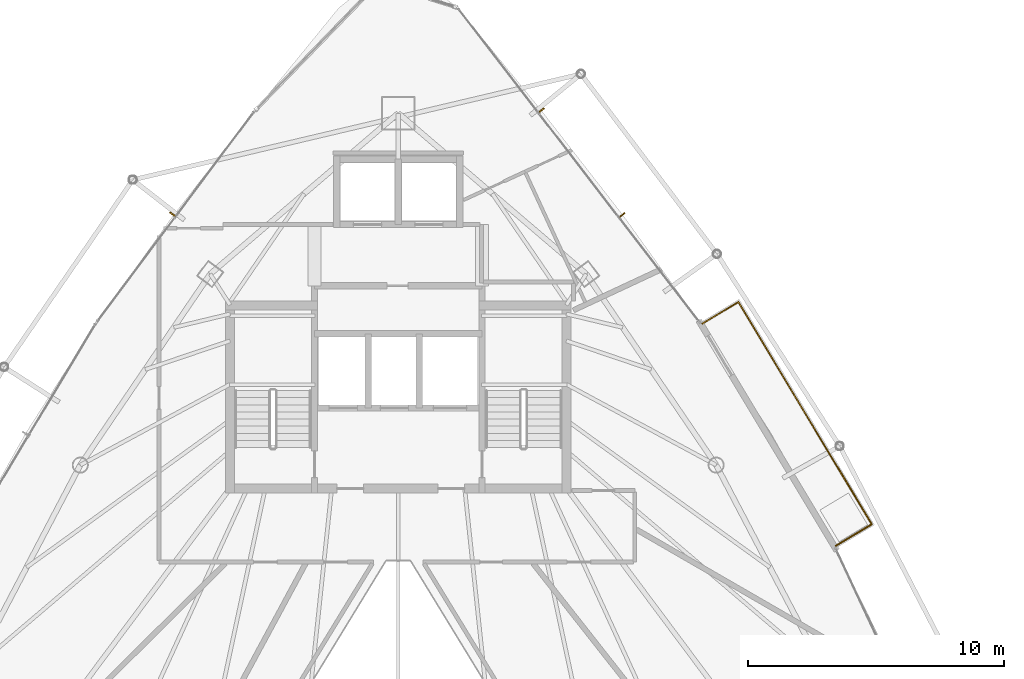
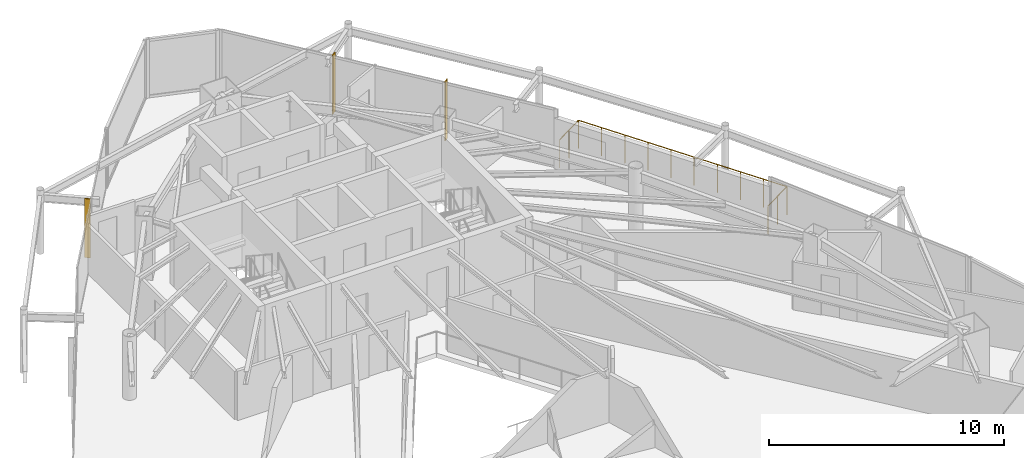
# One storey, part 34 of 34: 3 shading devices, 1 railing.
"""IFC4 building model written with IfcOpenShell, lengths in metres."""

from ifc_helpers import new_model, si_unit, direction, frame, origin, origin_2d, place, context, subcontext, project, spatial, rectangle, circle, extrude, material, layer, layer_set, type_object, element, save


model = new_model("IFC4")

# Units and contexts
model_context = context("Model", 3, precision=1e-05, world=origin(), true_north=direction((0.0, 1.0)))
body_context = subcontext(model_context, "Body", "Model", "MODEL_VIEW")
ifc_project = project(units=[si_unit("LENGTHUNIT", "METRE"), si_unit("AREAUNIT", "SQUARE_METRE"), si_unit("VOLUMEUNIT", "CUBIC_METRE"), si_unit("PLANEANGLEUNIT", "RADIAN"), si_unit("MASSUNIT", "GRAM", prefix="KILO")], contexts=[model_context])

# Site, building, storey
site_placement = place(None, origin())
site = spatial("IfcSite", under=ifc_project, at=site_placement, CompositionType="ELEMENT")
building_placement = place(site_placement, origin())
building = spatial("IfcBuilding", under=site, at=building_placement, Name="Orvanel Arch Residences", CompositionType="ELEMENT")
storey_placement = place(building_placement, frame((0.0, 0.0, 199.699951171875)))
storey = spatial("IfcBuildingStorey", under=building, at=storey_placement, Name="L56", CompositionType="ELEMENT", Elevation=199.699951171875)

# Shading devices
ifc_material = material(Name="Bronze-anodised aluminium AA6063-T6", Category="aluminium")
ifc_layer = layer(ifc_material, 0.050048828125)
ifc_layer_set = layer_set([ifc_layer], Name="Bronze-anodised aluminium AA6063-T6")
shading_device_type = type_object("IfcShadingDeviceType", Name="FIN-BRZ-260", PredefinedType="USERDEFINED", material=ifc_layer_set)
for number, where, z_axis, x_axis, name in (
    (1, (24.174072265625, 37.449951171875, 0.0), (0.0, 0.0, 1.0), (-0.800731370949, 0.599023598516, 0.0), "L56 Anodised Bronze Mullion FIN 01"),
    (2, (41.758056640625, 37.4189453125, 0.0), (0.0, 0.0, 1.0), (0.792289643355, 0.610145163901, 0.0), "L56 Anodised Bronze Mullion FIN 01"),
    (3, (38.60400390625, 41.514892578125, 0.0), (0.0, 0.0, 1.0), (0.792289643355, 0.610145163901, 0.0), "L56 Anodised Bronze Mullion FIN 02"),
):
    element("IfcShadingDevice", number, at=place(storey_placement, frame(where, z_axis=z_axis, x_axis=x_axis)), inside=storey, type_object=shading_device_type, Name=name, ObjectType="FIN", PredefinedType="USERDEFINED", context=body_context, shape_type="SweptSolid", body=[
        extrude(rectangle(XDim=0.260009765625, YDim=0.050048828125, at=origin_2d()), origin(), (0.0, 0.0, 1.0), 3.06005859375),
    ])

# Railing
railing_type = type_object("IfcRailingType", Name="RL-BAL-1480", PredefinedType="BALUSTRADE", material=ifc_material)
railing_placement = place(storey_placement, frame((50.10888671875, 24.48291015625, 0.0)))
element("IfcRailing", 4, at=railing_placement, inside=storey, type_object=railing_type, Name="L56 Balcony Perimeter Guardrail Face 3", PredefinedType="BALUSTRADE", context=body_context, shape_type="SweptSolid", body=[
    extrude(circle(Radius=0.02392578125, at=origin_2d()), frame((0.001220703125, 0.000732421875, 1.4560546875), z_axis=(0.857584807373, 0.514342588322, 0.0), x_axis=(-0.514342588322, 0.857584807373, 0.0)), (0.0, 0.0, 1.0), 1.637939453125),
    extrude(circle(Radius=0.02392578125, at=origin_2d()), frame((1.406494140625, 0.84521484375, 1.4560546875), z_axis=(-0.514481587658, 0.857501426215, 0.0), x_axis=(-0.857501426215, -0.514481587658, 0.0)), (0.0, 0.0, 1.0), 10.133544921875),
    extrude(circle(Radius=0.02392578125, at=origin_2d()), frame((-3.80908203125, 9.535400390625, 1.4560546875), z_axis=(-0.857387817543, -0.514670895164, 0.0), x_axis=(0.514670895164, -0.857387817543, 0.0)), (0.0, 0.0, 1.0), 1.636962890625),
    extrude(circle(Radius=0.02099609375, at=origin_2d()), origin(), (0.0, 0.0, 1.0), 1.429931640625),
    extrude(circle(Radius=0.02099609375, at=origin_2d()), frame((0.70361328125, 0.421875, 0.0)), (0.0, 0.0, 1.0), 1.429931640625),
    extrude(circle(Radius=0.02099609375, at=origin_2d()), frame((1.4072265625, 0.843994140625, 0.0)), (0.0, 0.0, 1.0), 1.429931640625),
    extrude(circle(Radius=0.02099609375, at=origin_2d()), frame((0.827880859375, 1.809814453125, 0.0)), (0.0, 0.0, 1.0), 1.429931640625),
    extrude(circle(Radius=0.02099609375, at=origin_2d()), frame((0.248291015625, 2.775634765625, 0.0)), (0.0, 0.0, 1.0), 1.429931640625),
    extrude(circle(Radius=0.02099609375, at=origin_2d()), frame((-0.3310546875, 3.741455078125, 0.0)), (0.0, 0.0, 1.0), 1.429931640625),
    extrude(circle(Radius=0.02099609375, at=origin_2d()), frame((-0.91064453125, 4.707275390625, 0.0)), (0.0, 0.0, 1.0), 1.429931640625),
    extrude(circle(Radius=0.02099609375, at=origin_2d()), frame((-1.489990234375, 5.6728515625, 0.0)), (0.0, 0.0, 1.0), 1.429931640625),
    extrude(circle(Radius=0.02099609375, at=origin_2d()), frame((-2.069580078125, 6.638671875, 0.0)), (0.0, 0.0, 1.0), 1.429931640625),
    extrude(circle(Radius=0.02099609375, at=origin_2d()), frame((-2.64892578125, 7.6044921875, 0.0)), (0.0, 0.0, 1.0), 1.429931640625),
    extrude(circle(Radius=0.02099609375, at=origin_2d()), frame((-3.228515625, 8.5703125, 0.0)), (0.0, 0.0, 1.0), 1.429931640625),
    extrude(circle(Radius=0.02099609375, at=origin_2d()), frame((-3.807861328125, 9.5361328125, 0.0)), (0.0, 0.0, 1.0), 1.429931640625),
    extrude(circle(Radius=0.02099609375, at=origin_2d()), frame((-4.5107421875, 9.1142578125, 0.0)), (0.0, 0.0, 1.0), 1.429931640625),
    extrude(circle(Radius=0.02099609375, at=origin_2d()), frame((-5.2138671875, 8.692138671875, 0.0)), (0.0, 0.0, 1.0), 1.429931640625),
])

save(model, "model.ifc")
